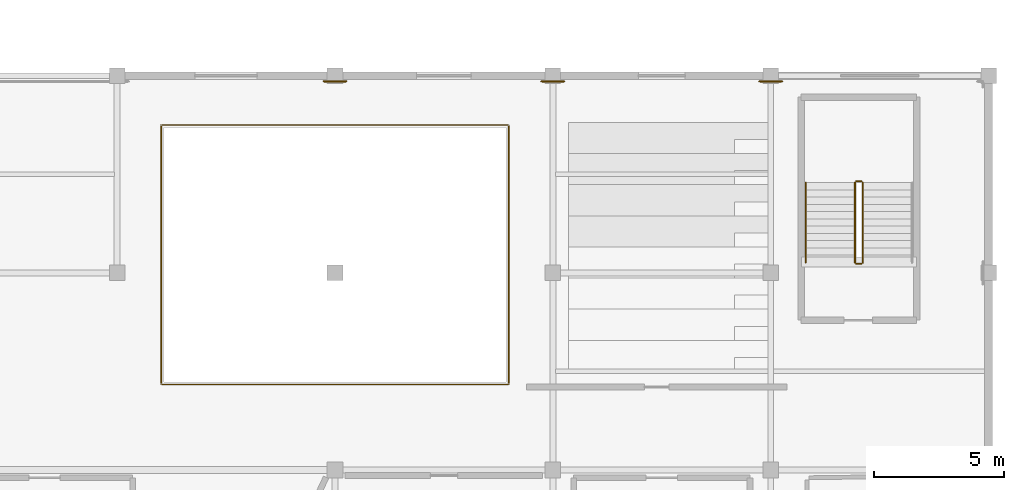
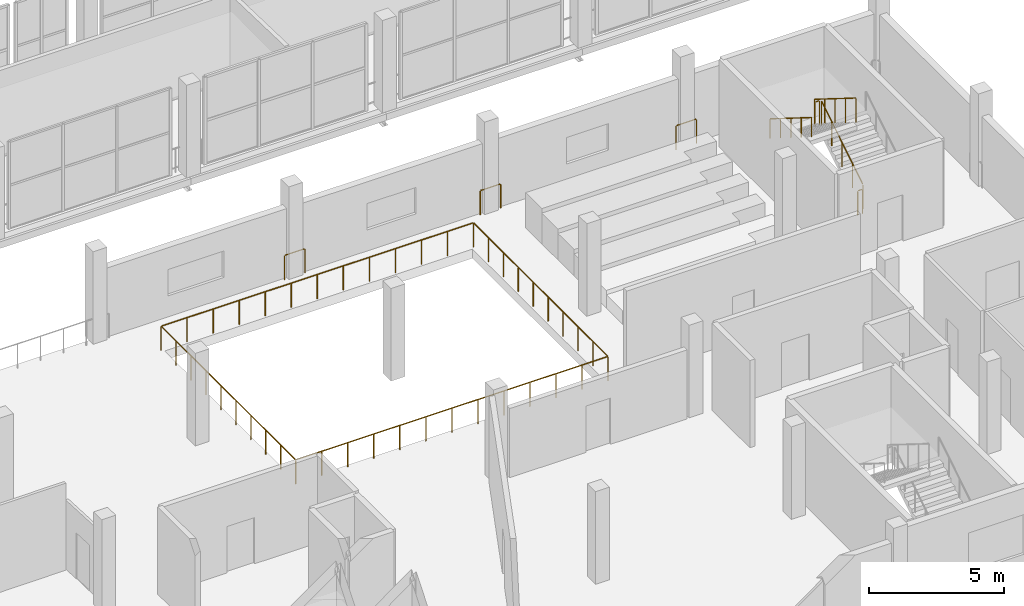
# One storey, part 144 of 151: 9 railings.
"""IFC4 building model written with IfcOpenShell, lengths in metres."""

from ifc_helpers import new_model, si_unit, direction, frame, origin, origin_2d, place, context, subcontext, project, spatial, circle, extrude, material, type_object, element, save


model = new_model("IFC4")

# Units and contexts
model_context = context("Model", 3, precision=1e-05, world=origin(), true_north=direction((0.0, 1.0)))
body_context = subcontext(model_context, "Body", "Model", "MODEL_VIEW")
ifc_project = project(units=[si_unit("LENGTHUNIT", "METRE"), si_unit("AREAUNIT", "SQUARE_METRE"), si_unit("VOLUMEUNIT", "CUBIC_METRE"), si_unit("PLANEANGLEUNIT", "RADIAN"), si_unit("MASSUNIT", "GRAM", prefix="KILO")], contexts=[model_context])

# Site, building, storey
site_placement = place(None, origin())
site = spatial("IfcSite", under=ifc_project, at=site_placement, CompositionType="ELEMENT")
building_placement = place(site_placement, origin())
building = spatial("IfcBuilding", under=site, at=building_placement, Name="Zuvorla Pavilion Media Centre", CompositionType="ELEMENT")
storey_placement = place(building_placement, frame((0.0, 0.0, 13.800048828125)))
storey = spatial("IfcBuildingStorey", under=building, at=storey_placement, Name="L03", CompositionType="ELEMENT", Elevation=13.800048828125)

# Railings
ifc_material_1 = material(Name="Powder-coated steel balustrade guard", Category="steel")
railing_type_1 = type_object("IfcRailingType", Name="RL-INT-GRD", PredefinedType="BALUSTRADE", material=ifc_material_1)
railing_1_placement = place(storey_placement, frame((103.949951171875, 29.199951171875, 0.175048828125)))
element("IfcRailing", 1, at=railing_1_placement, inside=storey, type_object=railing_type_1, Name="L03 ST-04 stair guard 1", PredefinedType="BALUSTRADE", context=body_context, shape_type="SweptSolid", body=[
    extrude(circle(Radius=0.02392578125, at=origin_2d()), frame((0.0, 0.0244140625, 1.111328125), z_axis=(0.0, 0.848028513186, 0.529950602248), x_axis=(-1.0, 0.0, 0.0)), (0.0, 0.0, 1.0), 3.57421875),
    extrude(circle(Radius=0.02099609375, at=origin_2d()), origin(), (0.0, 0.0, 1.0), 1.070068359375),
    extrude(circle(Radius=0.02099609375, at=origin_2d()), frame((0.0, 0.77001953125, 0.481201171875)), (0.0, 0.0, 1.0), 1.070068359375),
    extrude(circle(Radius=0.02099609375, at=origin_2d()), frame((0.0, 1.5400390625, 0.96240234375)), (0.0, 0.0, 1.0), 1.070068359375),
    extrude(circle(Radius=0.02099609375, at=origin_2d()), frame((0.0, 2.31005859375, 1.443603515625)), (0.0, 0.0, 1.0), 1.070068359375),
    extrude(circle(Radius=0.02099609375, at=origin_2d()), frame((0.0, 3.080078125, 1.9248046875)), (0.0, 0.0, 1.0), 1.070068359375),
])
railing_2_placement = place(storey_placement, frame((103.89990234375, 32.330078125, 2.099853515625)))
element("IfcRailing", 2, at=railing_2_placement, inside=storey, type_object=railing_type_1, Name="L03 ST-04 stair guard 2", PredefinedType="BALUSTRADE", context=body_context, shape_type="SweptSolid", body=[
    extrude(circle(Radius=0.02392578125, at=origin_2d()), frame((-0.02880859375, 0.0, 1.09619140625), z_axis=(-1.0, 0.0, 0.0), x_axis=(0.0, -1.0, 0.0)), (0.0, 0.0, 1.0), 0.142333984375),
    extrude(circle(Radius=0.02099609375, at=origin_2d()), origin(), (0.0, 0.0, 1.0), 1.070068359375),
    extrude(circle(Radius=0.02099609375, at=origin_2d()), frame((-0.199951171875, 0.0, 0.0)), (0.0, 0.0, 1.0), 1.070068359375),
])
railing_3_placement = place(storey_placement, frame((103.64990234375, 32.280029296875, 2.27490234375)))
element("IfcRailing", 3, at=railing_3_placement, inside=storey, type_object=railing_type_1, Name="L03 ST-04 stair guard 3", PredefinedType="BALUSTRADE", context=body_context, shape_type="SweptSolid", body=[
    extrude(circle(Radius=0.02392578125, at=origin_2d()), frame((0.0, -0.0244140625, 1.111328125), z_axis=(0.0, -0.847998304005, 0.529998940003), x_axis=(1.0, 0.0, 0.0)), (0.0, 0.0, 1.0), 3.574462890625),
    extrude(circle(Radius=0.02099609375, at=origin_2d()), origin(), (0.0, 0.0, 1.0), 1.070068359375),
    extrude(circle(Radius=0.02099609375, at=origin_2d()), frame((0.0, -0.77001953125, 0.481201171875)), (0.0, 0.0, 1.0), 1.070068359375),
    extrude(circle(Radius=0.02099609375, at=origin_2d()), frame((0.0, -1.5400390625, 0.96240234375)), (0.0, 0.0, 1.0), 1.070068359375),
    extrude(circle(Radius=0.02099609375, at=origin_2d()), frame((0.0, -2.31005859375, 1.44384765625)), (0.0, 0.0, 1.0), 1.070068359375),
    extrude(circle(Radius=0.02099609375, at=origin_2d()), frame((0.0, -3.080078125, 1.925048828125)), (0.0, 0.0, 1.0), 1.070068359375),
])
railing_4_placement = place(storey_placement, frame((103.89990234375, 29.14990234375, 0.0)))
element("IfcRailing", 4, at=railing_4_placement, inside=storey, type_object=railing_type_1, Name="L03 ST-04 stair guard 4", PredefinedType="BALUSTRADE", context=body_context, shape_type="SweptSolid", body=[
    extrude(circle(Radius=0.02392578125, at=origin_2d()), frame((-0.02880859375, 0.0, 1.09619140625), z_axis=(-1.0, 0.0, 0.0), x_axis=(0.0, -1.0, 0.0)), (0.0, 0.0, 1.0), 0.142333984375),
    extrude(circle(Radius=0.02099609375, at=origin_2d()), origin(), (0.0, 0.0, 1.0), 1.070068359375),
    extrude(circle(Radius=0.02099609375, at=origin_2d()), frame((-0.199951171875, 0.0, 0.0)), (0.0, 0.0, 1.0), 1.070068359375),
])
railing_5_placement = place(storey_placement, frame((76.89990234375, 24.5, 0.0)))
element("IfcRailing", 5, at=railing_5_placement, inside=storey, type_object=railing_type_1, Name="L03 scr4void edge guard", PredefinedType="BALUSTRADE", context=body_context, shape_type="SweptSolid", body=[
    extrude(circle(Radius=0.02392578125, at=origin_2d()), frame((0.02880859375, 0.0, 1.09619140625), z_axis=(1.0, 0.0, 0.0), x_axis=(0.0, 1.0, 0.0)), (0.0, 0.0, 1.0), 13.342529296875),
    extrude(circle(Radius=0.02392578125, at=origin_2d()), frame((13.400146484375, 0.02880859375, 1.09619140625), z_axis=(0.0, 1.0, 0.0), x_axis=(-1.0, 0.0, 0.0)), (0.0, 0.0, 1.0), 9.9423828125),
    extrude(circle(Radius=0.02392578125, at=origin_2d()), frame((13.371337890625, 10.0, 1.09619140625), z_axis=(-1.0, 0.0, 0.0), x_axis=(0.0, -1.0, 0.0)), (0.0, 0.0, 1.0), 13.342529296875),
    extrude(circle(Radius=0.02392578125, at=origin_2d()), frame((0.0, 9.97119140625, 1.09619140625), z_axis=(0.0, -1.0, 0.0), x_axis=(1.0, 0.0, 0.0)), (0.0, 0.0, 1.0), 9.9423828125),
    extrude(circle(Radius=0.02099609375, at=origin_2d()), origin(), (0.0, 0.0, 1.0), 1.070068359375),
    extrude(circle(Radius=0.02099609375, at=origin_2d()), frame((1.11669921875, 0.0, 0.0)), (0.0, 0.0, 1.0), 1.070068359375),
    extrude(circle(Radius=0.02099609375, at=origin_2d()), frame((2.2333984375, 0.0, 0.0)), (0.0, 0.0, 1.0), 1.070068359375),
    extrude(circle(Radius=0.02099609375, at=origin_2d()), frame((3.35009765625, 0.0, 0.0)), (0.0, 0.0, 1.0), 1.070068359375),
    extrude(circle(Radius=0.02099609375, at=origin_2d()), frame((4.466796875, 0.0, 0.0)), (0.0, 0.0, 1.0), 1.070068359375),
    extrude(circle(Radius=0.02099609375, at=origin_2d()), frame((5.58349609375, 0.0, 0.0)), (0.0, 0.0, 1.0), 1.070068359375),
    extrude(circle(Radius=0.02099609375, at=origin_2d()), frame((6.7001953125, 0.0, 0.0)), (0.0, 0.0, 1.0), 1.070068359375),
    extrude(circle(Radius=0.02099609375, at=origin_2d()), frame((7.816650390625, 0.0, 0.0)), (0.0, 0.0, 1.0), 1.070068359375),
    extrude(circle(Radius=0.02099609375, at=origin_2d()), frame((8.933349609375, 0.0, 0.0)), (0.0, 0.0, 1.0), 1.070068359375),
    extrude(circle(Radius=0.02099609375, at=origin_2d()), frame((10.050048828125, 0.0, 0.0)), (0.0, 0.0, 1.0), 1.070068359375),
    extrude(circle(Radius=0.02099609375, at=origin_2d()), frame((11.166748046875, 0.0, 0.0)), (0.0, 0.0, 1.0), 1.070068359375),
    extrude(circle(Radius=0.02099609375, at=origin_2d()), frame((12.283447265625, 0.0, 0.0)), (0.0, 0.0, 1.0), 1.070068359375),
    extrude(circle(Radius=0.02099609375, at=origin_2d()), frame((13.400146484375, 0.0, 0.0)), (0.0, 0.0, 1.0), 1.070068359375),
    extrude(circle(Radius=0.02099609375, at=origin_2d()), frame((13.400146484375, 1.111083984375, 0.0)), (0.0, 0.0, 1.0), 1.070068359375),
    extrude(circle(Radius=0.02099609375, at=origin_2d()), frame((13.400146484375, 2.22216796875, 0.0)), (0.0, 0.0, 1.0), 1.070068359375),
    extrude(circle(Radius=0.02099609375, at=origin_2d()), frame((13.400146484375, 3.333251953125, 0.0)), (0.0, 0.0, 1.0), 1.070068359375),
    extrude(circle(Radius=0.02099609375, at=origin_2d()), frame((13.400146484375, 4.4443359375, 0.0)), (0.0, 0.0, 1.0), 1.070068359375),
    extrude(circle(Radius=0.02099609375, at=origin_2d()), frame((13.400146484375, 5.5556640625, 0.0)), (0.0, 0.0, 1.0), 1.070068359375),
    extrude(circle(Radius=0.02099609375, at=origin_2d()), frame((13.400146484375, 6.666748046875, 0.0)), (0.0, 0.0, 1.0), 1.070068359375),
    extrude(circle(Radius=0.02099609375, at=origin_2d()), frame((13.400146484375, 7.77783203125, 0.0)), (0.0, 0.0, 1.0), 1.070068359375),
    extrude(circle(Radius=0.02099609375, at=origin_2d()), frame((13.400146484375, 8.888916015625, 0.0)), (0.0, 0.0, 1.0), 1.070068359375),
    extrude(circle(Radius=0.02099609375, at=origin_2d()), frame((13.400146484375, 10.0, 0.0)), (0.0, 0.0, 1.0), 1.070068359375),
    extrude(circle(Radius=0.02099609375, at=origin_2d()), frame((12.283447265625, 10.0, 0.0)), (0.0, 0.0, 1.0), 1.070068359375),
    extrude(circle(Radius=0.02099609375, at=origin_2d()), frame((11.166748046875, 10.0, 0.0)), (0.0, 0.0, 1.0), 1.070068359375),
    extrude(circle(Radius=0.02099609375, at=origin_2d()), frame((10.050048828125, 10.0, 0.0)), (0.0, 0.0, 1.0), 1.070068359375),
    extrude(circle(Radius=0.02099609375, at=origin_2d()), frame((8.933349609375, 10.0, 0.0)), (0.0, 0.0, 1.0), 1.070068359375),
    extrude(circle(Radius=0.02099609375, at=origin_2d()), frame((7.816650390625, 10.0, 0.0)), (0.0, 0.0, 1.0), 1.070068359375),
    extrude(circle(Radius=0.02099609375, at=origin_2d()), frame((6.7001953125, 10.0, 0.0)), (0.0, 0.0, 1.0), 1.070068359375),
    extrude(circle(Radius=0.02099609375, at=origin_2d()), frame((5.58349609375, 10.0, 0.0)), (0.0, 0.0, 1.0), 1.070068359375),
    extrude(circle(Radius=0.02099609375, at=origin_2d()), frame((4.466796875, 10.0, 0.0)), (0.0, 0.0, 1.0), 1.070068359375),
    extrude(circle(Radius=0.02099609375, at=origin_2d()), frame((3.35009765625, 10.0, 0.0)), (0.0, 0.0, 1.0), 1.070068359375),
    extrude(circle(Radius=0.02099609375, at=origin_2d()), frame((2.2333984375, 10.0, 0.0)), (0.0, 0.0, 1.0), 1.070068359375),
    extrude(circle(Radius=0.02099609375, at=origin_2d()), frame((1.11669921875, 10.0, 0.0)), (0.0, 0.0, 1.0), 1.070068359375),
    extrude(circle(Radius=0.02099609375, at=origin_2d()), frame((0.0, 10.0, 0.0)), (0.0, 0.0, 1.0), 1.070068359375),
    extrude(circle(Radius=0.02099609375, at=origin_2d()), frame((0.0, 8.888916015625, 0.0)), (0.0, 0.0, 1.0), 1.070068359375),
    extrude(circle(Radius=0.02099609375, at=origin_2d()), frame((0.0, 7.77783203125, 0.0)), (0.0, 0.0, 1.0), 1.070068359375),
    extrude(circle(Radius=0.02099609375, at=origin_2d()), frame((0.0, 6.666748046875, 0.0)), (0.0, 0.0, 1.0), 1.070068359375),
    extrude(circle(Radius=0.02099609375, at=origin_2d()), frame((0.0, 5.5556640625, 0.0)), (0.0, 0.0, 1.0), 1.070068359375),
    extrude(circle(Radius=0.02099609375, at=origin_2d()), frame((0.0, 4.4443359375, 0.0)), (0.0, 0.0, 1.0), 1.070068359375),
    extrude(circle(Radius=0.02099609375, at=origin_2d()), frame((0.0, 3.333251953125, 0.0)), (0.0, 0.0, 1.0), 1.070068359375),
    extrude(circle(Radius=0.02099609375, at=origin_2d()), frame((0.0, 2.22216796875, 0.0)), (0.0, 0.0, 1.0), 1.070068359375),
    extrude(circle(Radius=0.02099609375, at=origin_2d()), frame((0.0, 1.111083984375, 0.0)), (0.0, 0.0, 1.0), 1.070068359375),
])
railing_6_placement = place(storey_placement, frame((83.159912109375, 36.179931640625, 0.0)))
element("IfcRailing", 6, at=railing_6_placement, inside=storey, type_object=railing_type_1, Name="L03 slab edge guard 93", PredefinedType="BALUSTRADE", context=body_context, shape_type="SweptSolid", body=[
    extrude(circle(Radius=0.02392578125, at=origin_2d()), frame((0.02880859375, 0.0, 1.09619140625), z_axis=(1.0, 0.0, 0.0), x_axis=(0.0, 1.0, 0.0)), (0.0, 0.0, 1.0), 0.822509765625),
    extrude(circle(Radius=0.02099609375, at=origin_2d()), origin(), (0.0, 0.0, 1.0), 1.070068359375),
    extrude(circle(Radius=0.02099609375, at=origin_2d()), frame((0.880126953125, 0.0, 0.0)), (0.0, 0.0, 1.0), 1.070068359375),
])
railing_7_placement = place(storey_placement, frame((91.56005859375, 36.179931640625, 0.0)))
element("IfcRailing", 7, at=railing_7_placement, inside=storey, type_object=railing_type_1, Name="L03 slab edge guard 94", PredefinedType="BALUSTRADE", context=body_context, shape_type="SweptSolid", body=[
    extrude(circle(Radius=0.02392578125, at=origin_2d()), frame((0.02880859375, 0.0, 1.09619140625), z_axis=(1.0, 0.0, 0.0), x_axis=(0.0, 1.0, 0.0)), (0.0, 0.0, 1.0), 0.822265625),
    extrude(circle(Radius=0.02099609375, at=origin_2d()), origin(), (0.0, 0.0, 1.0), 1.070068359375),
    extrude(circle(Radius=0.02099609375, at=origin_2d()), frame((0.8798828125, 0.0, 0.0)), (0.0, 0.0, 1.0), 1.070068359375),
])
railing_8_placement = place(storey_placement, frame((99.9599609375, 36.179931640625, 0.0)))
element("IfcRailing", 8, at=railing_8_placement, inside=storey, type_object=railing_type_1, Name="L03 slab edge guard 95", PredefinedType="BALUSTRADE", context=body_context, shape_type="SweptSolid", body=[
    extrude(circle(Radius=0.02392578125, at=origin_2d()), frame((0.02880859375, 0.0, 1.09619140625), z_axis=(1.0, 0.0, 0.0), x_axis=(0.0, 1.0, 0.0)), (0.0, 0.0, 1.0), 0.822509765625),
    extrude(circle(Radius=0.02099609375, at=origin_2d()), origin(), (0.0, 0.0, 1.0), 1.070068359375),
    extrude(circle(Radius=0.02099609375, at=origin_2d()), frame((0.880126953125, 0.0, 0.0)), (0.0, 0.0, 1.0), 1.070068359375),
])
ifc_material_2 = material(Name="Brushed stainless steel tubular handrail", Category="steel")
railing_type_2 = type_object("IfcRailingType", Name="RL-INT-HND", PredefinedType="HANDRAIL", material=ifc_material_2)
railing_9_placement = place(storey_placement, frame((101.75, 32.280029296875, 2.27490234375)))
element("IfcRailing", 9, at=railing_9_placement, inside=storey, type_object=railing_type_2, Name="L03 ST-04 handrail 2", PredefinedType="HANDRAIL", context=body_context, shape_type="SweptSolid", body=[
    extrude(circle(Radius=0.02392578125, at=origin_2d()), frame((0.0, -0.0244140625, 0.89111328125), z_axis=(0.0, -0.847998304005, 0.529998940003), x_axis=(1.0, 0.0, 0.0)), (0.0, 0.0, 1.0), 3.574462890625),
    extrude(circle(Radius=0.02099609375, at=origin_2d()), origin(), (0.0, 0.0, 1.0), 0.849853515625),
    extrude(circle(Radius=0.02099609375, at=origin_2d()), frame((0.0, -0.77001953125, 0.481201171875)), (0.0, 0.0, 1.0), 0.849853515625),
    extrude(circle(Radius=0.02099609375, at=origin_2d()), frame((0.0, -1.5400390625, 0.96240234375)), (0.0, 0.0, 1.0), 0.849853515625),
    extrude(circle(Radius=0.02099609375, at=origin_2d()), frame((0.0, -2.31005859375, 1.44384765625)), (0.0, 0.0, 1.0), 0.849853515625),
    extrude(circle(Radius=0.02099609375, at=origin_2d()), frame((0.0, -3.080078125, 1.925048828125)), (0.0, 0.0, 1.0), 0.849853515625),
])

save(model, "model.ifc")
